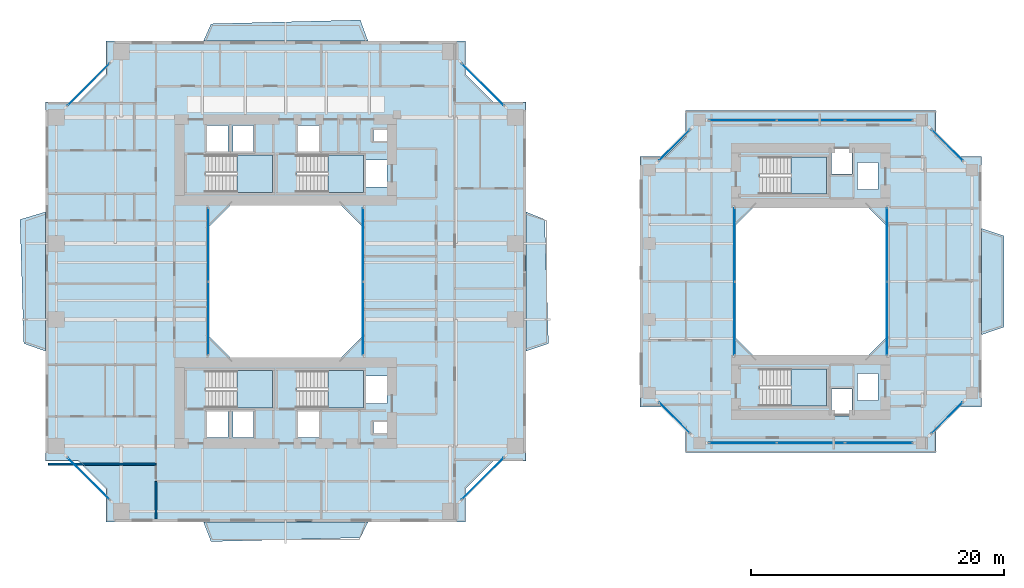
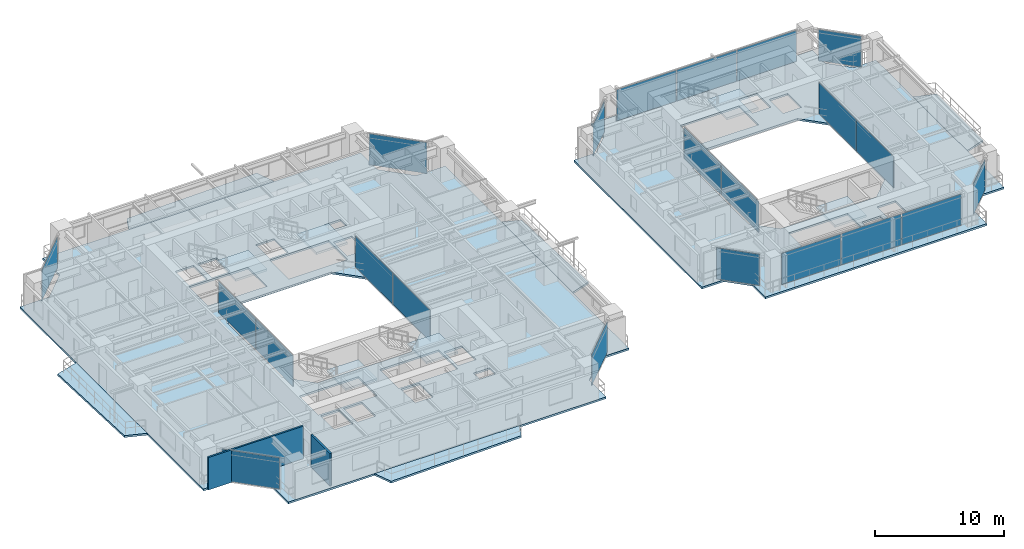
# One storey, part 11 of 23: 22 plates, 13 slabs, 2 walls, 20 elements without a shape of their own.
"""IFC4 building model written with IfcOpenShell, lengths in metres."""

from ifc_helpers import new_model, si_unit, direction, frame, frame_2d, origin, origin_2d, place, context, subcontext, project, spatial, polyline, rectangle, outline, extrude, source, transform, mapped, material, layer, layer_set, type_object, element, aggregate, save


model = new_model("IFC4")

# Units and contexts
model_context = context("Model", 3, precision=1e-05, world=origin(), true_north=direction((0.0, 1.0)))
body_context = subcontext(model_context, "Body", "Model", "MODEL_VIEW")
ifc_project = project(units=[si_unit("LENGTHUNIT", "METRE"), si_unit("AREAUNIT", "SQUARE_METRE"), si_unit("VOLUMEUNIT", "CUBIC_METRE"), si_unit("PLANEANGLEUNIT", "RADIAN"), si_unit("MASSUNIT", "GRAM", prefix="KILO"), si_unit("THERMODYNAMICTEMPERATUREUNIT", "KELVIN"), si_unit("POWERUNIT", "WATT")], contexts=[model_context])

# Site, building, storey
site_placement = place(None, origin())
site = spatial("IfcSite", under=ifc_project, at=site_placement, CompositionType="ELEMENT")
building_placement = place(site_placement, origin())
building = spatial("IfcBuilding", under=site, at=building_placement, Name="Qiaomeng Ring Towers", CompositionType="ELEMENT")
storey_placement = place(building_placement, frame((0.0, 0.0, 60.0)))
storey = spatial("IfcBuildingStorey", under=building, at=storey_placement, Name="L16", CompositionType="ELEMENT", Elevation=60.0)

# Slabs
ifc_material_1 = material(Name="Concrete C40", Category="concrete")
ifc_layer_1 = layer(ifc_material_1, 0.179931640625, Name="Concrete C40")
ifc_layer_set_1 = layer_set([ifc_layer_1], Name="Concrete C40")
slab_type_1 = type_object("IfcSlabType", Name="STR-SL-180", PredefinedType="FLOOR", material=ifc_layer_set_1)
slab_1_placement = place(storey_placement, frame((0.0, 0.0, -0.179931640625)))
element("IfcSlab", 1, at=slab_1_placement, inside=storey, type_object=slab_type_1, Name="L16 Tower 1 Annular Floor Slab", PredefinedType="FLOOR", context=body_context, shape_type="SweptSolid", body=[
    extrude(outline(polyline([(4.800048828125, 4.0), (33.199951171875, 4.0), (33.199951171875, 6.60009765625), (35.39990234375, 8.800048828125), (38.0, 8.800048828125), (38.0, 37.199951171875), (35.39990234375, 37.199951171875), (33.199951171875, 39.39990234375), (33.199951171875, 42.0), (4.800048828125, 42.0), (4.800048828125, 39.39990234375), (2.60009765625, 37.199951171875), (0.0, 37.199951171875), (0.0, 8.800048828125), (2.60009765625, 8.800048828125), (4.800048828125, 6.60009765625), (4.800048828125, 4.0)]), holes=[polyline([(12.780029296875, 10.679931640625), (12.780029296875, 12.820068359375), (14.419921875, 12.820068359375), (14.419921875, 10.679931640625), (12.780029296875, 10.679931640625)]), polyline([(14.830078125, 12.820068359375), (16.469970703125, 12.820068359375), (16.469970703125, 10.679931640625), (14.830078125, 10.679931640625), (14.830078125, 12.820068359375)]), polyline([(12.679931640625, 15.949951171875), (17.949951171875, 15.949951171875), (17.949951171875, 13.010009765625), (12.679931640625, 13.010009765625), (12.679931640625, 15.949951171875)]), polyline([(25.199951171875, 27.199951171875), (25.199951171875, 18.800048828125), (23.199951171875, 16.800048828125), (14.800048828125, 16.800048828125), (12.800048828125, 18.800048828125), (12.800048828125, 27.199951171875), (14.800048828125, 29.199951171875), (23.199951171875, 29.199951171875), (25.199951171875, 27.199951171875)]), polyline([(12.679931640625, 32.989990234375), (17.949951171875, 32.989990234375), (17.949951171875, 30.050048828125), (12.679931640625, 30.050048828125), (12.679931640625, 32.989990234375)]), polyline([(12.780029296875, 35.320068359375), (14.419921875, 35.320068359375), (14.419921875, 33.179931640625), (12.780029296875, 33.179931640625), (12.780029296875, 35.320068359375)]), polyline([(14.830078125, 35.320068359375), (16.469970703125, 35.320068359375), (16.469970703125, 33.179931640625), (14.830078125, 33.179931640625), (14.830078125, 35.320068359375)]), polyline([(19.97998046875, 35.320068359375), (21.6201171875, 35.320068359375), (21.6201171875, 33.179931640625), (19.97998046875, 33.179931640625), (19.97998046875, 35.320068359375)]), polyline([(25.919921875, 11.89990234375), (27.360107421875, 11.89990234375), (27.360107421875, 11.0), (25.919921875, 11.0), (25.919921875, 11.89990234375)]), polyline([(19.97998046875, 12.820068359375), (21.6201171875, 12.820068359375), (21.6201171875, 10.679931640625), (19.97998046875, 10.679931640625), (19.97998046875, 12.820068359375)]), polyline([(25.360107421875, 15.52001953125), (27.0, 15.52001953125), (27.0, 13.3798828125), (25.360107421875, 13.3798828125), (25.360107421875, 15.52001953125)]), polyline([(19.8798828125, 15.949951171875), (25.14990234375, 15.949951171875), (25.14990234375, 13.010009765625), (19.8798828125, 13.010009765625), (19.8798828125, 15.949951171875)]), polyline([(19.8798828125, 32.989990234375), (25.14990234375, 32.989990234375), (25.14990234375, 30.050048828125), (19.8798828125, 30.050048828125), (19.8798828125, 32.989990234375)]), polyline([(25.360107421875, 32.6201171875), (27.0, 32.6201171875), (27.0, 30.47998046875), (25.360107421875, 30.47998046875), (25.360107421875, 32.6201171875)]), polyline([(25.919921875, 35.0), (27.360107421875, 35.0), (27.360107421875, 34.10009765625), (25.919921875, 34.10009765625), (25.919921875, 35.0)])]), origin(), (0.0, 0.0, 1.0), 0.179931640625),
])
slab_2_placement = place(storey_placement, frame((0.0, 0.0, -0.179931640625)))
element("IfcSlab", 2, at=slab_2_placement, inside=storey, type_object=slab_type_1, Name="L16 Companion Tower 2 Annular Floor Slab", PredefinedType="FLOOR", context=body_context, shape_type="SweptSolid", body=[
    extrude(outline(polyline([(50.60009765625, 9.5), (70.39990234375, 9.5), (70.39990234375, 11.5), (72.0, 13.10009765625), (74.0, 13.10009765625), (74.0, 32.89990234375), (72.0, 32.89990234375), (70.39990234375, 34.5), (70.39990234375, 36.5), (50.60009765625, 36.5), (50.60009765625, 34.5), (49.0, 32.89990234375), (47.0, 32.89990234375), (47.0, 13.10009765625), (49.0, 13.10009765625), (50.60009765625, 11.5), (50.60009765625, 9.5)]), holes=[polyline([(62.1298828125, 12.3798828125), (62.1298828125, 14.52001953125), (63.77001953125, 14.52001953125), (63.77001953125, 12.3798828125), (62.1298828125, 12.3798828125)]), polyline([(56.47998046875, 13.159912109375), (56.47998046875, 16.10009765625), (61.75, 16.10009765625), (61.75, 13.159912109375), (56.47998046875, 13.159912109375)]), polyline([(64.179931640625, 13.580078125), (64.179931640625, 15.719970703125), (65.820068359375, 15.719970703125), (65.820068359375, 13.580078125), (64.179931640625, 13.580078125)]), polyline([(64.800048828125, 29.10009765625), (66.60009765625, 27.300048828125), (66.60009765625, 18.699951171875), (64.800048828125, 16.89990234375), (56.199951171875, 16.89990234375), (54.39990234375, 18.699951171875), (54.39990234375, 27.300048828125), (56.199951171875, 29.10009765625), (64.800048828125, 29.10009765625)]), polyline([(64.179931640625, 30.280029296875), (64.179931640625, 32.419921875), (65.820068359375, 32.419921875), (65.820068359375, 30.280029296875), (64.179931640625, 30.280029296875)]), polyline([(56.47998046875, 32.840087890625), (61.75, 32.840087890625), (61.75, 29.89990234375), (56.47998046875, 29.89990234375), (56.47998046875, 32.840087890625)]), polyline([(62.1298828125, 33.6201171875), (63.77001953125, 33.6201171875), (63.77001953125, 31.47998046875), (62.1298828125, 31.47998046875), (62.1298828125, 33.6201171875)])]), origin(), (0.0, 0.0, 1.0), 0.179931640625),
])
ifc_layer_2 = layer(ifc_material_1, 0.179931640625, Name="Concrete C40")
ifc_layer_set_2 = layer_set([ifc_layer_2], Name="Concrete C40")
slab_type_2 = type_object("IfcSlabType", Name="STR-SL-BAL", PredefinedType="FLOOR", material=ifc_layer_set_2)
slab_3_placement = place(storey_placement, frame((0.0, 0.0, -0.179931640625)))
element("IfcSlab", 3, at=slab_3_placement, inside=storey, type_object=slab_type_2, Name="L16 Tower 1 S Faceted Balcony Slab", PredefinedType="FLOOR", context=body_context, shape_type="SweptSolid", body=[
    extrude(outline(polyline([(24.89990234375, 2.75), (13.10009765625, 2.449951171875), (12.5, 4.0), (25.5, 4.0), (24.89990234375, 2.75)])), origin(), (0.0, 0.0, 1.0), 0.179931640625),
])
slab_4_placement = place(storey_placement, frame((0.0, 0.0, -0.179931640625)))
element("IfcSlab", 4, at=slab_4_placement, inside=storey, type_object=slab_type_2, Name="L16 Tower 1 E Faceted Balcony Slab", PredefinedType="FLOOR", context=body_context, shape_type="SweptSolid", body=[
    extrude(outline(polyline([(39.469970703125, 27.89990234375), (39.77001953125, 18.10009765625), (38.0, 17.5), (38.0, 28.5), (39.469970703125, 27.89990234375)])), origin(), (0.0, 0.0, 1.0), 0.179931640625),
])
slab_5_placement = place(storey_placement, frame((0.0, 0.0, -0.179931640625)))
element("IfcSlab", 5, at=slab_5_placement, inside=storey, type_object=slab_type_2, Name="L16 Tower 1 N Faceted Balcony Slab", PredefinedType="FLOOR", context=body_context, shape_type="SweptSolid", body=[
    extrude(outline(polyline([(12.5, 42.0), (13.10009765625, 43.3701171875), (24.89990234375, 43.669921875), (25.5, 42.0), (12.5, 42.0)])), origin(), (0.0, 0.0, 1.0), 0.179931640625),
])
slab_6_placement = place(storey_placement, frame((0.0, 0.0, -0.179931640625)))
element("IfcSlab", 6, at=slab_6_placement, inside=storey, type_object=slab_type_2, Name="L16 Tower 1 W Faceted Balcony Slab", PredefinedType="FLOOR", context=body_context, shape_type="SweptSolid", body=[
    extrude(outline(polyline([(0.0, 17.5), (-1.699951171875, 18.10009765625), (-2.0, 27.89990234375), (0.0, 28.5), (0.0, 17.5)])), origin(), (0.0, 0.0, 1.0), 0.179931640625),
])
slab_7_placement = place(storey_placement, frame((0.0, 0.0, -0.179931640625)))
element("IfcSlab", 7, at=slab_7_placement, inside=storey, type_object=slab_type_2, Name="L16 Companion East Faceted Balcony Slab", PredefinedType="FLOOR", context=body_context, shape_type="SweptSolid", body=[
    extrude(outline(polyline([(75.77001953125, 26.60009765625), (75.77001953125, 19.39990234375), (74.0, 18.800048828125), (74.0, 27.199951171875), (75.77001953125, 26.60009765625)])), origin(), (0.0, 0.0, 1.0), 0.179931640625),
])

# Stair, slab
ifc_material_2 = material(Name="Precast concrete C40", Category="concrete")
stair_type = type_object("IfcStairType", Name="ARC-ST-325", PredefinedType="HALF_TURN_STAIR", material=ifc_material_2)
stair_1_placement = place(storey_placement, origin())
stair_1 = element("IfcStair", 8, at=stair_1_placement, inside=storey, type_object=stair_type, Name="L16 Tower 1 North Stair 1", PredefinedType="HALF_TURN_STAIR")
ifc_layer_3 = layer(ifc_material_1, 0.199951171875, Name="Concrete C40")
ifc_layer_set_3 = layer_set([ifc_layer_3], Name="Concrete C40")
slab_type_3 = type_object("IfcSlabType", Name="STR-SL-LANDING", PredefinedType="LANDING", material=ifc_layer_set_3)
slab_8_placement = place(storey_placement, frame((0.0, 0.0, 1.425048828125)))
slab_8 = element("IfcSlab", 9, at=slab_8_placement, type_object=slab_type_3, Name="ST1 landing 1", PredefinedType="LANDING", context=body_context, shape_type="SweptSolid", body=[
    extrude(outline(polyline([(15.139892578125, 30.050048828125), (17.949951171875, 30.050048828125), (17.949951171875, 32.989990234375), (15.139892578125, 32.989990234375), (15.139892578125, 30.050048828125)])), origin(), (0.0, 0.0, 1.0), 0.199951171875),
])
aggregate(stair_1, [slab_8])

stair_2_placement = place(storey_placement, origin())
stair_2 = element("IfcStair", 10, at=stair_2_placement, inside=storey, type_object=stair_type, Name="L16 Tower 1 North Stair 2", PredefinedType="HALF_TURN_STAIR")
slab_9_placement = place(storey_placement, frame((0.0, 0.0, 1.425048828125)))
slab_9 = element("IfcSlab", 11, at=slab_9_placement, type_object=slab_type_3, Name="ST2 landing 1", PredefinedType="LANDING", context=body_context, shape_type="SweptSolid", body=[
    extrude(outline(polyline([(22.340087890625, 30.050048828125), (25.14990234375, 30.050048828125), (25.14990234375, 32.989990234375), (22.340087890625, 32.989990234375), (22.340087890625, 30.050048828125)])), origin(), (0.0, 0.0, 1.0), 0.199951171875),
])
aggregate(stair_2, [slab_9])

stair_3_placement = place(storey_placement, origin())
stair_3 = element("IfcStair", 12, at=stair_3_placement, inside=storey, type_object=stair_type, Name="L16 Tower 1 South Stair 3", PredefinedType="HALF_TURN_STAIR")
slab_10_placement = place(storey_placement, frame((0.0, 0.0, 1.425048828125)))
slab_10 = element("IfcSlab", 13, at=slab_10_placement, type_object=slab_type_3, Name="ST3 landing 1", PredefinedType="LANDING", context=body_context, shape_type="SweptSolid", body=[
    extrude(outline(polyline([(15.139892578125, 13.010009765625), (17.949951171875, 13.010009765625), (17.949951171875, 15.949951171875), (15.139892578125, 15.949951171875), (15.139892578125, 13.010009765625)])), origin(), (0.0, 0.0, 1.0), 0.199951171875),
])
aggregate(stair_3, [slab_10])

stair_4_placement = place(storey_placement, origin())
stair_4 = element("IfcStair", 14, at=stair_4_placement, inside=storey, type_object=stair_type, Name="L16 Tower 1 South Stair 4", PredefinedType="HALF_TURN_STAIR")
slab_11_placement = place(storey_placement, frame((0.0, 0.0, 1.425048828125)))
slab_11 = element("IfcSlab", 15, at=slab_11_placement, type_object=slab_type_3, Name="ST4 landing 1", PredefinedType="LANDING", context=body_context, shape_type="SweptSolid", body=[
    extrude(outline(polyline([(22.340087890625, 13.010009765625), (25.14990234375, 13.010009765625), (25.14990234375, 15.949951171875), (22.340087890625, 15.949951171875), (22.340087890625, 13.010009765625)])), origin(), (0.0, 0.0, 1.0), 0.199951171875),
])
aggregate(stair_4, [slab_11])

stair_5_placement = place(storey_placement, origin())
stair_5 = element("IfcStair", 16, at=stair_5_placement, inside=storey, type_object=stair_type, Name="L16 Companion North Stair 5", PredefinedType="HALF_TURN_STAIR")
slab_12_placement = place(storey_placement, frame((0.0, 0.0, 1.425048828125)))
slab_12 = element("IfcSlab", 17, at=slab_12_placement, type_object=slab_type_3, Name="ST5 landing 1", PredefinedType="LANDING", context=body_context, shape_type="SweptSolid", body=[
    extrude(outline(polyline([(58.93994140625, 29.89990234375), (61.75, 29.89990234375), (61.75, 32.840087890625), (58.93994140625, 32.840087890625), (58.93994140625, 29.89990234375)])), origin(), (0.0, 0.0, 1.0), 0.199951171875),
])
aggregate(stair_5, [slab_12])

stair_6_placement = place(storey_placement, origin())
stair_6 = element("IfcStair", 18, at=stair_6_placement, inside=storey, type_object=stair_type, Name="L16 Companion South Stair 6", PredefinedType="HALF_TURN_STAIR")
slab_13_placement = place(storey_placement, frame((0.0, 0.0, 1.425048828125)))
slab_13 = element("IfcSlab", 19, at=slab_13_placement, type_object=slab_type_3, Name="ST6 landing 1", PredefinedType="LANDING", context=body_context, shape_type="SweptSolid", body=[
    extrude(outline(polyline([(58.93994140625, 13.159912109375), (61.75, 13.159912109375), (61.75, 16.10009765625), (58.93994140625, 16.10009765625), (58.93994140625, 13.159912109375)])), origin(), (0.0, 0.0, 1.0), 0.199951171875),
])
aggregate(stair_6, [slab_13])

# Curtain wall, plates
ifc_material_3 = material(Name="Fluorocarbon dark-grey aluminium", Category="aluminium")
ifc_layer_4 = layer(ifc_material_3, 0.139892578125, Name="Fluorocarbon dark-grey aluminium")
ifc_layer_set_4 = layer_set([ifc_layer_4], Name="Fluorocarbon dark-grey aluminium")
curtain_wall_type_1 = type_object("IfcCurtainWallType", Name="ARC-CW-4", PredefinedType="NOTDEFINED", material=ifc_layer_set_4)
curtain_wall_1_placement = place(storey_placement, origin())
curtain_wall_1 = element("IfcCurtainWall", 20, at=curtain_wall_1_placement, inside=storey, type_object=curtain_wall_type_1, Name="L16 Curtain Wall CW4", PredefinedType="NOTDEFINED")
ifc_material_4 = material(Name="Low-E dark-grey laminated double glazing", Category="glass")
ifc_layer_5 = layer(ifc_material_4, 0.028076171875, Name="Low-E dark-grey laminated double glazing")
ifc_layer_set_5 = layer_set([ifc_layer_5], Name="Low-E dark-grey laminated double glazing")
plate_type = type_object("IfcPlateType", Name="ARC-CWP-DARK", PredefinedType="CURTAIN_PANEL", material=ifc_layer_set_5)
shared_shape_1 = source(origin(), body_context, "Body", "SweptSolid", [
    extrude(rectangle(XDim=5.75244140625, YDim=0.028076171875, at=origin_2d()), origin(), (0.0, 0.0, 1.0), 2.93994140625),
])
plate_1_placement = place(storey_placement, frame((12.8798828125, 20.09130859375, 0.06494140625), z_axis=(0.0, 0.0, 1.0), x_axis=(0.0, 1.0, 0.0)))
plate_1 = element("IfcPlate", 21, at=plate_1_placement, type_object=plate_type, Name="CW4 panel 1.1", PredefinedType="CURTAIN_PANEL", context=body_context, shape_type="MappedRepresentation", body=[
    mapped(shared_shape_1, transform((0.0, 0.0, 0.0), x_axis=(1.0, 0.0, 0.0), y_axis=(0.0, 1.0, 0.0), z_axis=(0.0, 0.0, 1.0), scale=1.0)),
])
plate_2_placement = place(storey_placement, frame((12.8798828125, 25.90869140625, 0.06494140625), z_axis=(0.0, 0.0, 1.0), x_axis=(0.0, 1.0, 0.0)))
plate_2 = element("IfcPlate", 22, at=plate_2_placement, type_object=plate_type, Name="CW4 panel 2.1", PredefinedType="CURTAIN_PANEL", context=body_context, shape_type="MappedRepresentation", body=[
    mapped(shared_shape_1, transform((0.0, 0.0, 0.0), x_axis=(1.0, 0.0, 0.0), y_axis=(0.0, 1.0, 0.0), z_axis=(0.0, 0.0, 1.0), scale=1.0)),
])
aggregate(curtain_wall_1, [plate_1, plate_2])

curtain_wall_2_placement = place(storey_placement, origin())
curtain_wall_2 = element("IfcCurtainWall", 23, at=curtain_wall_2_placement, inside=storey, type_object=curtain_wall_type_1, Name="L16 Curtain Wall CW4", PredefinedType="NOTDEFINED")
plate_3_placement = place(storey_placement, frame((25.1201171875, 20.09130859375, 0.06494140625), z_axis=(0.0, 0.0, 1.0), x_axis=(0.0, 1.0, 0.0)))
plate_3 = element("IfcPlate", 24, at=plate_3_placement, type_object=plate_type, Name="CW4 panel 1.1", PredefinedType="CURTAIN_PANEL", context=body_context, shape_type="MappedRepresentation", body=[
    mapped(shared_shape_1, transform((0.0, 0.0, 0.0), x_axis=(1.0, 0.0, 0.0), y_axis=(0.0, 1.0, 0.0), z_axis=(0.0, 0.0, 1.0), scale=1.0)),
])
plate_4_placement = place(storey_placement, frame((25.1201171875, 25.90869140625, 0.06494140625), z_axis=(0.0, 0.0, 1.0), x_axis=(0.0, 1.0, 0.0)))
plate_4 = element("IfcPlate", 25, at=plate_4_placement, type_object=plate_type, Name="CW4 panel 2.1", PredefinedType="CURTAIN_PANEL", context=body_context, shape_type="MappedRepresentation", body=[
    mapped(shared_shape_1, transform((0.0, 0.0, 0.0), x_axis=(1.0, 0.0, 0.0), y_axis=(0.0, 1.0, 0.0), z_axis=(0.0, 0.0, 1.0), scale=1.0)),
])
aggregate(curtain_wall_2, [plate_3, plate_4])

curtain_wall_3_placement = place(storey_placement, origin())
curtain_wall_3 = element("IfcCurtainWall", 26, at=curtain_wall_3_placement, inside=storey, type_object=curtain_wall_type_1, Name="L16 Curtain Wall CW4", PredefinedType="NOTDEFINED")
plate_5_placement = place(storey_placement, frame((54.47998046875, 20.09130859375, 0.06494140625), z_axis=(0.0, 0.0, 1.0), x_axis=(0.0, 1.0, 0.0)))
plate_5 = element("IfcPlate", 27, at=plate_5_placement, type_object=plate_type, Name="CW4 panel 1.1", PredefinedType="CURTAIN_PANEL", context=body_context, shape_type="MappedRepresentation", body=[
    mapped(shared_shape_1, transform((0.0, 0.0, 0.0), x_axis=(1.0, 0.0, 0.0), y_axis=(0.0, 1.0, 0.0), z_axis=(0.0, 0.0, 1.0), scale=1.0)),
])
plate_6_placement = place(storey_placement, frame((54.47998046875, 25.90869140625, 0.06494140625), z_axis=(0.0, 0.0, 1.0), x_axis=(0.0, 1.0, 0.0)))
plate_6 = element("IfcPlate", 28, at=plate_6_placement, type_object=plate_type, Name="CW4 panel 2.1", PredefinedType="CURTAIN_PANEL", context=body_context, shape_type="MappedRepresentation", body=[
    mapped(shared_shape_1, transform((0.0, 0.0, 0.0), x_axis=(1.0, 0.0, 0.0), y_axis=(0.0, 1.0, 0.0), z_axis=(0.0, 0.0, 1.0), scale=1.0)),
])
aggregate(curtain_wall_3, [plate_5, plate_6])

curtain_wall_4_placement = place(storey_placement, origin())
curtain_wall_4 = element("IfcCurtainWall", 29, at=curtain_wall_4_placement, inside=storey, type_object=curtain_wall_type_1, Name="L16 Curtain Wall CW4", PredefinedType="NOTDEFINED")
plate_7_placement = place(storey_placement, frame((66.52001953125, 20.09130859375, 0.06494140625), z_axis=(0.0, 0.0, 1.0), x_axis=(0.0, 1.0, 0.0)))
plate_7 = element("IfcPlate", 30, at=plate_7_placement, type_object=plate_type, Name="CW4 panel 1.1", PredefinedType="CURTAIN_PANEL", context=body_context, shape_type="MappedRepresentation", body=[
    mapped(shared_shape_1, transform((0.0, 0.0, 0.0), x_axis=(1.0, 0.0, 0.0), y_axis=(0.0, 1.0, 0.0), z_axis=(0.0, 0.0, 1.0), scale=1.0)),
])
plate_8_placement = place(storey_placement, frame((66.52001953125, 25.90869140625, 0.06494140625), z_axis=(0.0, 0.0, 1.0), x_axis=(0.0, 1.0, 0.0)))
plate_8 = element("IfcPlate", 31, at=plate_8_placement, type_object=plate_type, Name="CW4 panel 2.1", PredefinedType="CURTAIN_PANEL", context=body_context, shape_type="MappedRepresentation", body=[
    mapped(shared_shape_1, transform((0.0, 0.0, 0.0), x_axis=(1.0, 0.0, 0.0), y_axis=(0.0, 1.0, 0.0), z_axis=(0.0, 0.0, 1.0), scale=1.0)),
])
aggregate(curtain_wall_4, [plate_7, plate_8])

# Curtain wall, plate
ifc_layer_6 = layer(ifc_material_3, 0.159912109375, Name="Fluorocarbon dark-grey aluminium")
ifc_layer_set_6 = layer_set([ifc_layer_6], Name="Fluorocarbon dark-grey aluminium")
curtain_wall_type_2 = type_object("IfcCurtainWallType", Name="ARC-CW-2", PredefinedType="NOTDEFINED", material=ifc_layer_set_6)
curtain_wall_5_placement = place(storey_placement, origin())
curtain_wall_5 = element("IfcCurtainWall", 32, at=curtain_wall_5_placement, inside=storey, type_object=curtain_wall_type_2, Name="L16 Curtain Wall CW2", PredefinedType="NOTDEFINED")
shared_shape_2 = source(origin(), body_context, "Body", "SweptSolid", [
    extrude(rectangle(XDim=4.6259765625, YDim=0.028076171875, at=origin_2d()), origin(), (0.0, 0.0, 1.0), 2.93994140625),
])
plate_9_placement = place(storey_placement, frame((34.574951171875, 7.425048828125, 0.06494140625), z_axis=(0.0, 0.0, 1.0), x_axis=(0.707106781187, 0.707106781187, 0.0)))
plate_9 = element("IfcPlate", 33, at=plate_9_placement, type_object=plate_type, Name="CW2 panel 1.1", PredefinedType="CURTAIN_PANEL", context=body_context, shape_type="MappedRepresentation", body=[
    mapped(shared_shape_2, transform((0.0, 0.0, 0.0), x_axis=(1.0, 0.0, 0.0), y_axis=(0.0, 1.0, 0.0), z_axis=(0.0, 0.0, 1.0), scale=1.0)),
])
aggregate(curtain_wall_5, [plate_9])

curtain_wall_6_placement = place(storey_placement, origin())
curtain_wall_6 = element("IfcCurtainWall", 34, at=curtain_wall_6_placement, inside=storey, type_object=curtain_wall_type_2, Name="L16 Curtain Wall CW2", PredefinedType="NOTDEFINED")
plate_10_placement = place(storey_placement, frame((34.574951171875, 38.574951171875, 0.06494140625), z_axis=(0.0, 0.0, 1.0), x_axis=(-0.707106781187, 0.707106781187, 0.0)))
plate_10 = element("IfcPlate", 35, at=plate_10_placement, type_object=plate_type, Name="CW2 panel 1.1", PredefinedType="CURTAIN_PANEL", context=body_context, shape_type="MappedRepresentation", body=[
    mapped(shared_shape_2, transform((0.0, 0.0, 0.0), x_axis=(1.0, 0.0, 0.0), y_axis=(0.0, 1.0, 0.0), z_axis=(0.0, 0.0, 1.0), scale=1.0)),
])
aggregate(curtain_wall_6, [plate_10])

curtain_wall_7_placement = place(storey_placement, origin())
curtain_wall_7 = element("IfcCurtainWall", 36, at=curtain_wall_7_placement, inside=storey, type_object=curtain_wall_type_2, Name="L16 Curtain Wall CW2", PredefinedType="NOTDEFINED")
plate_11_placement = place(storey_placement, frame((3.425048828125, 38.574951171875, 0.06494140625), z_axis=(0.0, 0.0, 1.0), x_axis=(-0.707106781187, -0.707106781187, 0.0)))
plate_11 = element("IfcPlate", 37, at=plate_11_placement, type_object=plate_type, Name="CW2 panel 1.1", PredefinedType="CURTAIN_PANEL", context=body_context, shape_type="MappedRepresentation", body=[
    mapped(shared_shape_2, transform((0.0, 0.0, 0.0), x_axis=(1.0, 0.0, 0.0), y_axis=(0.0, 1.0, 0.0), z_axis=(0.0, 0.0, 1.0), scale=1.0)),
])
aggregate(curtain_wall_7, [plate_11])

curtain_wall_8_placement = place(storey_placement, origin())
curtain_wall_8 = element("IfcCurtainWall", 38, at=curtain_wall_8_placement, inside=storey, type_object=curtain_wall_type_2, Name="L16 Curtain Wall CW2", PredefinedType="NOTDEFINED")
plate_12_placement = place(storey_placement, frame((3.425048828125, 7.425048828125, 0.06494140625), z_axis=(0.0, 0.0, 1.0), x_axis=(0.707106781187, -0.707106781187, 0.0)))
plate_12 = element("IfcPlate", 39, at=plate_12_placement, type_object=plate_type, Name="CW2 panel 1.1", PredefinedType="CURTAIN_PANEL", context=body_context, shape_type="MappedRepresentation", body=[
    mapped(shared_shape_2, transform((0.0, 0.0, 0.0), x_axis=(1.0, 0.0, 0.0), y_axis=(0.0, 1.0, 0.0), z_axis=(0.0, 0.0, 1.0), scale=1.0)),
])
aggregate(curtain_wall_8, [plate_12])

# Curtain wall, plates
ifc_layer_7 = layer(ifc_material_3, 0.14990234375, Name="Fluorocarbon dark-grey aluminium")
ifc_layer_set_7 = layer_set([ifc_layer_7], Name="Fluorocarbon dark-grey aluminium")
curtain_wall_type_3 = type_object("IfcCurtainWallType", Name="ARC-CW-5", PredefinedType="NOTDEFINED", material=ifc_layer_set_7)
curtain_wall_9_placement = place(storey_placement, origin())
curtain_wall_9 = element("IfcCurtainWall", 40, at=curtain_wall_9_placement, inside=storey, type_object=curtain_wall_type_3, Name="L16 Curtain Wall CW5", PredefinedType="NOTDEFINED")
shared_shape_3 = source(origin(), body_context, "Body", "SweptSolid", [
    extrude(rectangle(XDim=5.284912109375, YDim=0.028076171875, at=origin_2d()), origin(), (0.0, 0.0, 1.0), 2.93994140625),
])
plate_13_placement = place(storey_placement, frame((55.12744140625, 35.75, 0.06494140625), z_axis=(0.0, 0.0, 1.0), x_axis=(1.0, 0.0, 0.0)))
plate_13 = element("IfcPlate", 41, at=plate_13_placement, type_object=plate_type, Name="CW5 panel 1.1", PredefinedType="CURTAIN_PANEL", context=body_context, shape_type="MappedRepresentation", body=[
    mapped(shared_shape_3, transform((0.0, 0.0, 0.0), x_axis=(1.0, 0.0, 0.0), y_axis=(0.0, 1.0, 0.0), z_axis=(0.0, 0.0, 1.0), scale=1.0)),
])
plate_14_placement = place(storey_placement, frame((65.87255859375, 35.75, 0.06494140625), z_axis=(0.0, 0.0, 1.0), x_axis=(1.0, 0.0, 0.0)))
plate_14 = element("IfcPlate", 42, at=plate_14_placement, type_object=plate_type, Name="CW5 panel 3.1", PredefinedType="CURTAIN_PANEL", context=body_context, shape_type="MappedRepresentation", body=[
    mapped(shared_shape_3, transform((0.0, 0.0, 0.0), x_axis=(1.0, 0.0, 0.0), y_axis=(0.0, 1.0, 0.0), z_axis=(0.0, 0.0, 1.0), scale=1.0)),
])

curtain_wall_10_placement = place(storey_placement, origin())
curtain_wall_10 = element("IfcCurtainWall", 43, at=curtain_wall_10_placement, inside=storey, type_object=curtain_wall_type_3, Name="L16 Curtain Wall CW5", PredefinedType="NOTDEFINED")
plate_15_placement = place(storey_placement, frame((55.12744140625, 10.25, 0.06494140625), z_axis=(0.0, 0.0, 1.0), x_axis=(1.0, 0.0, 0.0)))
plate_15 = element("IfcPlate", 44, at=plate_15_placement, type_object=plate_type, Name="CW5 panel 1.1", PredefinedType="CURTAIN_PANEL", context=body_context, shape_type="MappedRepresentation", body=[
    mapped(shared_shape_3, transform((0.0, 0.0, 0.0), x_axis=(1.0, 0.0, 0.0), y_axis=(0.0, 1.0, 0.0), z_axis=(0.0, 0.0, 1.0), scale=1.0)),
])
plate_16_placement = place(storey_placement, frame((65.87255859375, 10.25, 0.06494140625), z_axis=(0.0, 0.0, 1.0), x_axis=(1.0, 0.0, 0.0)))
plate_16 = element("IfcPlate", 45, at=plate_16_placement, type_object=plate_type, Name="CW5 panel 3.1", PredefinedType="CURTAIN_PANEL", context=body_context, shape_type="MappedRepresentation", body=[
    mapped(shared_shape_3, transform((0.0, 0.0, 0.0), x_axis=(1.0, 0.0, 0.0), y_axis=(0.0, 1.0, 0.0), z_axis=(0.0, 0.0, 1.0), scale=1.0)),
])

# Plate
shared_shape_4 = source(origin(), body_context, "Body", "SweptSolid", [
    extrude(rectangle(XDim=5.320068359375, YDim=0.028076171875, at=origin_2d()), origin(), (0.0, 0.0, 1.0), 2.93994140625),
])
plate_17_placement = place(storey_placement, frame((60.5, 35.75, 0.06494140625), z_axis=(0.0, 0.0, 1.0), x_axis=(1.0, 0.0, 0.0)))
plate_17 = element("IfcPlate", 46, at=plate_17_placement, type_object=plate_type, Name="CW5 panel 2.1", PredefinedType="CURTAIN_PANEL", context=body_context, shape_type="MappedRepresentation", body=[
    mapped(shared_shape_4, transform((0.0, 0.0, 0.0), x_axis=(1.0, 0.0, 0.0), y_axis=(0.0, 1.0, 0.0), z_axis=(0.0, 0.0, 1.0), scale=1.0)),
])

aggregate(curtain_wall_9, [plate_13, plate_17, plate_14])

plate_18_placement = place(storey_placement, frame((60.5, 10.25, 0.06494140625), z_axis=(0.0, 0.0, 1.0), x_axis=(1.0, 0.0, 0.0)))
plate_18 = element("IfcPlate", 47, at=plate_18_placement, type_object=plate_type, Name="CW5 panel 2.1", PredefinedType="CURTAIN_PANEL", context=body_context, shape_type="MappedRepresentation", body=[
    mapped(shared_shape_4, transform((0.0, 0.0, 0.0), x_axis=(1.0, 0.0, 0.0), y_axis=(0.0, 1.0, 0.0), z_axis=(0.0, 0.0, 1.0), scale=1.0)),
])

aggregate(curtain_wall_10, [plate_15, plate_18, plate_16])

# Curtain wall, plate
curtain_wall_11_placement = place(storey_placement, origin())
curtain_wall_11 = element("IfcCurtainWall", 48, at=curtain_wall_11_placement, inside=storey, type_object=curtain_wall_type_3, Name="L16 Curtain Wall CW5", PredefinedType="NOTDEFINED")
shared_shape_5 = source(origin(), body_context, "Body", "SweptSolid", [
    extrude(rectangle(XDim=3.423828125, YDim=0.028076171875, at=origin_2d()), origin(), (0.0, 0.0, 1.0), 2.93994140625),
])
plate_19_placement = place(storey_placement, frame((71.27490234375, 12.22509765625, 0.06494140625), z_axis=(0.0, 0.0, 1.0), x_axis=(0.707106781187, 0.707106781187, 0.0)))
plate_19 = element("IfcPlate", 49, at=plate_19_placement, type_object=plate_type, Name="CW5 panel 1.1", PredefinedType="CURTAIN_PANEL", context=body_context, shape_type="MappedRepresentation", body=[
    mapped(shared_shape_5, transform((0.0, 0.0, 0.0), x_axis=(1.0, 0.0, 0.0), y_axis=(0.0, 1.0, 0.0), z_axis=(0.0, 0.0, 1.0), scale=1.0)),
])
aggregate(curtain_wall_11, [plate_19])

curtain_wall_12_placement = place(storey_placement, origin())
curtain_wall_12 = element("IfcCurtainWall", 50, at=curtain_wall_12_placement, inside=storey, type_object=curtain_wall_type_3, Name="L16 Curtain Wall CW5", PredefinedType="NOTDEFINED")
plate_20_placement = place(storey_placement, frame((71.27490234375, 33.77490234375, 0.06494140625), z_axis=(0.0, 0.0, 1.0), x_axis=(-0.707106781187, 0.707106781187, 0.0)))
plate_20 = element("IfcPlate", 51, at=plate_20_placement, type_object=plate_type, Name="CW5 panel 1.1", PredefinedType="CURTAIN_PANEL", context=body_context, shape_type="MappedRepresentation", body=[
    mapped(shared_shape_5, transform((0.0, 0.0, 0.0), x_axis=(1.0, 0.0, 0.0), y_axis=(0.0, 1.0, 0.0), z_axis=(0.0, 0.0, 1.0), scale=1.0)),
])
aggregate(curtain_wall_12, [plate_20])

curtain_wall_13_placement = place(storey_placement, origin())
curtain_wall_13 = element("IfcCurtainWall", 52, at=curtain_wall_13_placement, inside=storey, type_object=curtain_wall_type_3, Name="L16 Curtain Wall CW5", PredefinedType="NOTDEFINED")
plate_21_placement = place(storey_placement, frame((49.72509765625, 33.77490234375, 0.06494140625), z_axis=(0.0, 0.0, 1.0), x_axis=(-0.707106781187, -0.707106781187, 0.0)))
plate_21 = element("IfcPlate", 53, at=plate_21_placement, type_object=plate_type, Name="CW5 panel 1.1", PredefinedType="CURTAIN_PANEL", context=body_context, shape_type="MappedRepresentation", body=[
    mapped(shared_shape_5, transform((0.0, 0.0, 0.0), x_axis=(1.0, 0.0, 0.0), y_axis=(0.0, 1.0, 0.0), z_axis=(0.0, 0.0, 1.0), scale=1.0)),
])
aggregate(curtain_wall_13, [plate_21])

curtain_wall_14_placement = place(storey_placement, origin())
curtain_wall_14 = element("IfcCurtainWall", 54, at=curtain_wall_14_placement, inside=storey, type_object=curtain_wall_type_3, Name="L16 Curtain Wall CW5", PredefinedType="NOTDEFINED")
plate_22_placement = place(storey_placement, frame((49.72509765625, 12.22509765625, 0.06494140625), z_axis=(0.0, 0.0, 1.0), x_axis=(0.707106781187, -0.707106781187, 0.0)))
plate_22 = element("IfcPlate", 55, at=plate_22_placement, type_object=plate_type, Name="CW5 panel 1.1", PredefinedType="CURTAIN_PANEL", context=body_context, shape_type="MappedRepresentation", body=[
    mapped(shared_shape_5, transform((0.0, 0.0, 0.0), x_axis=(1.0, 0.0, 0.0), y_axis=(0.0, 1.0, 0.0), z_axis=(0.0, 0.0, 1.0), scale=1.0)),
])
aggregate(curtain_wall_14, [plate_22])

# Walls
ifc_material_5 = material(Name="Gypsum fireboard steel-stud partition", Category="steel")
ifc_layer_8 = layer(ifc_material_5, 0.14990234375, Name="Gypsum fireboard steel-stud partition")
ifc_layer_set_8 = layer_set([ifc_layer_8], Name="Gypsum fireboard steel-stud partition")
wall_type = type_object("IfcWallType", Name="ARC-WL-PW3", PredefinedType="PARTITIONING", material=ifc_layer_set_8)
wall_1_placement = place(storey_placement, frame((8.75, 4.25, 0.0), z_axis=(0.0, 0.0, 1.0), x_axis=(0.0, 1.0, 0.0)))
element("IfcWall", 56, at=wall_1_placement, inside=storey, type_object=wall_type, Name="L16 Interior Wall PW3", PredefinedType="PARTITIONING", context=body_context, shape_type="SweptSolid", body=[
    extrude(rectangle(XDim=2.9599609375, YDim=0.14990234375, at=frame_2d((1.47998046875, 0.0))), origin(), (0.0, 0.0, 1.0), 3.070068359375),
])
wall_2_placement = place(storey_placement, frame((0.25, 8.570068359375, 0.0), z_axis=(0.0, 0.0, 1.0), x_axis=(1.0, 0.0, 0.0)))
element("IfcWall", 57, at=wall_2_placement, inside=storey, type_object=wall_type, Name="L16 Interior Wall PW3", PredefinedType="PARTITIONING", context=body_context, shape_type="SweptSolid", body=[
    extrude(rectangle(XDim=8.5, YDim=0.14990234375, at=frame_2d((4.25, 0.0))), origin(), (0.0, 0.0, 1.0), 3.070068359375),
])

save(model, "model.ifc")
